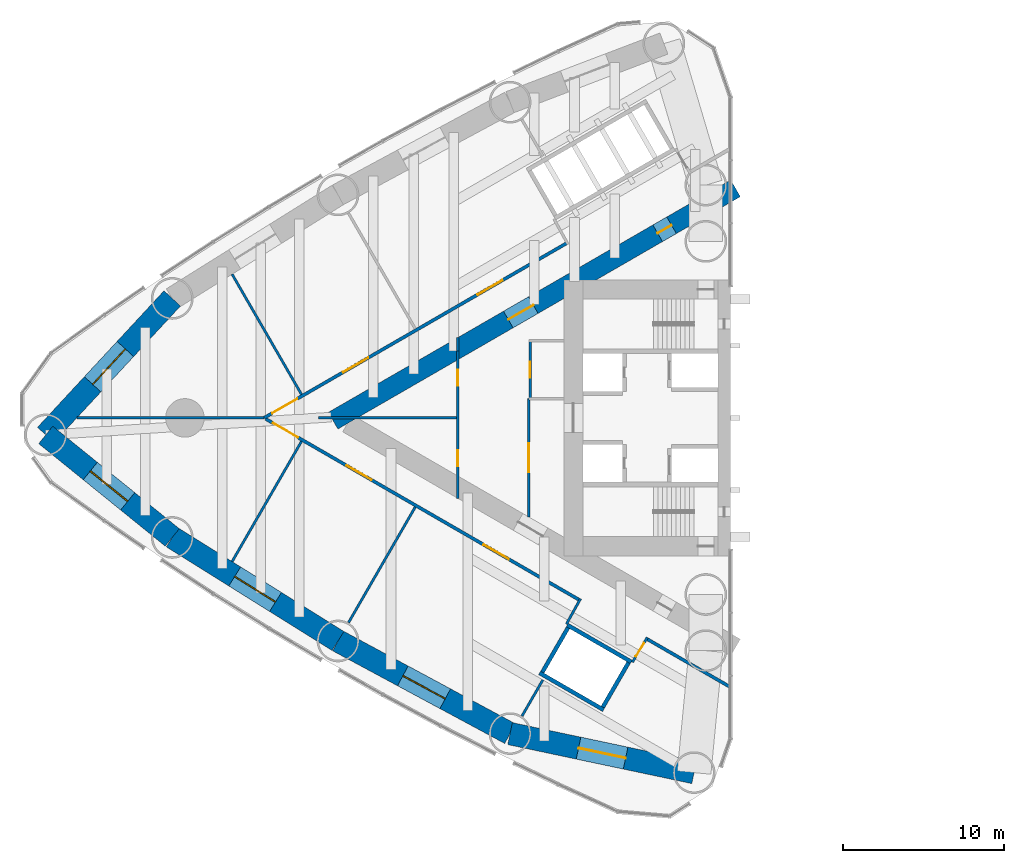
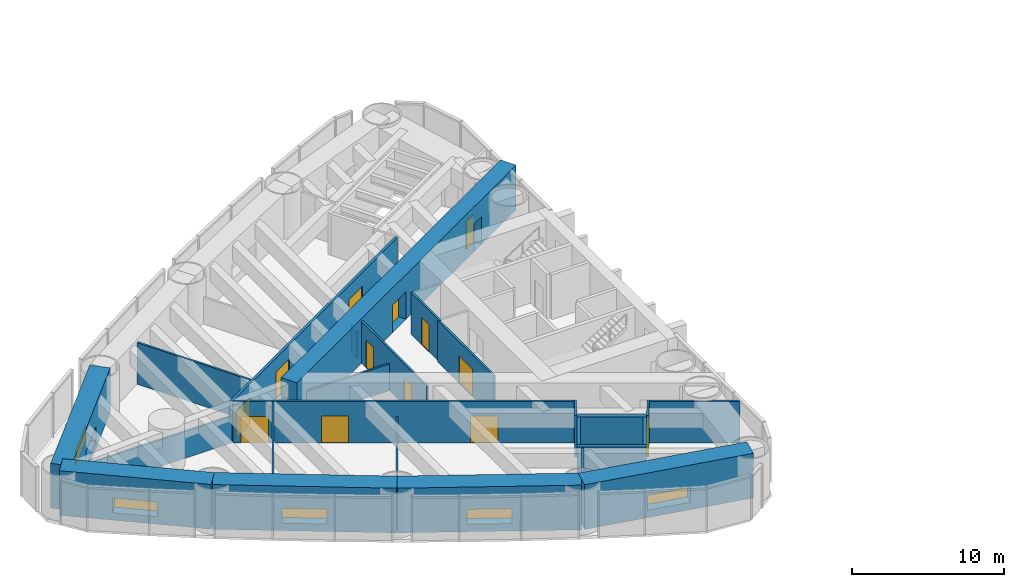
# One storey, part 11 of 16: 25 walls, 13 doors, 5 windows, 18 openings.
"""IFC4 building model written with IfcOpenShell, lengths in metres."""

from ifc_helpers import new_model, si_unit, direction, frame, frame_2d, origin, place, context, subcontext, project, spatial, rectangle, extrude, material, layer, layer_set, type_object, element, fill, save


model = new_model("IFC4")

# Units and contexts
model_context = context("Model", 3, precision=1e-05, world=origin(), true_north=direction((0.0, 1.0)))
body_context = subcontext(model_context, "Body", "Model", "MODEL_VIEW")
ifc_project = project(units=[si_unit("LENGTHUNIT", "METRE"), si_unit("AREAUNIT", "SQUARE_METRE"), si_unit("VOLUMEUNIT", "CUBIC_METRE"), si_unit("PLANEANGLEUNIT", "RADIAN"), si_unit("MASSUNIT", "GRAM", prefix="KILO")], contexts=[model_context])

# Site, building, storey
site_placement = place(None, origin())
site = spatial("IfcSite", under=ifc_project, at=site_placement, CompositionType="ELEMENT")
building_placement = place(site_placement, origin())
building = spatial("IfcBuilding", under=site, at=building_placement, Name="Lancet Gate Hotel", CompositionType="ELEMENT")
storey_placement = place(building_placement, frame((0.0, 0.0, 143.10009765625)))
storey = spatial("IfcBuildingStorey", under=building, at=storey_placement, Name="L38", CompositionType="ELEMENT", Elevation=143.10009765625)

# Wall, opening, window
ifc_material_1 = material(Name="Concrete C80/95", Category="concrete")
ifc_layer_1 = layer(ifc_material_1, 1.39990234375)
ifc_layer_set_1 = layer_set([ifc_layer_1], Name="Belt wall 1400")
wall_type_1 = type_object("IfcWallType", Name="Belt wall 1400", PredefinedType="SHEAR", material=ifc_layer_set_1)
wall_1_placement = place(storey_placement, frame((-62.28662109375, 7.444580078125, 0.0), z_axis=(0.0, 0.0, 1.0), x_axis=(-0.679718253794, -0.733473309303, 0.0)))
wall_1 = element("IfcWall", 1, at=wall_1_placement, inside=storey, type_object=wall_type_1, Name="T1 belt wall OS3-CA L38", PredefinedType="SHEAR", context=body_context, shape_type="SweptSolid", body=[
    extrude(rectangle(XDim=11.594970703125, YDim=1.39990234375, at=frame_2d((5.79736328125, 0.0))), origin(), (0.0, 0.0, 1.0), 3.599853515625),
])
opening_1_placement = place(wall_1_placement, frame((4.297607421875, 0.0, 0.60009765625)))
opening_1 = element("IfcOpeningElement", 2, at=opening_1_placement, cuts=wall_1, Name="Opening LV1", PredefinedType="OPENING", context=body_context, shape_type="SweptSolid", body=[
    extrude(rectangle(XDim=3.0, YDim=1.199951171875, at=frame_2d((1.5, 0.60009765625))), frame((0.0, 0.7099609375, 0.0), z_axis=(0.0, -1.0, 0.0), x_axis=(1.0, 0.0, 0.0)), (0.0, 0.0, 1.0), 1.419921875),
])
ifc_material_2 = material(Name="Aluminium weather louvre", Category="aluminium")
window_type = type_object("IfcWindowType", Name="Refuge louvre 3000x1200", PartitioningType="SINGLE_PANEL", PredefinedType="WINDOW", material=ifc_material_2)
window_1_placement = place(opening_1_placement, origin())
window_1 = element("IfcWindow", 3, at=window_1_placement, inside=storey, type_object=window_type, Name="T1 belt louvre OS3-CA L38", OverallHeight=1.199951171875, OverallWidth=3.0, PartitioningType="SINGLE_PANEL", PredefinedType="WINDOW", context=body_context, shape_type="SweptSolid", body=[
    extrude(rectangle(XDim=3.0, YDim=1.199951171875, at=frame_2d((1.5, 0.60009765625))), frame((0.0, 0.030029296875, 0.0), z_axis=(0.0, -1.0, 0.0), x_axis=(1.0, 0.0, 0.0)), (0.0, 0.0, 1.0), 0.06005859375),
])
fill(opening_1, window_1)

wall_2_placement = place(storey_placement, frame((-70.16796875, -1.06005859375, 0.0), z_axis=(0.0, 0.0, 1.0), x_axis=(0.777033503891, -0.629459239213, 0.0)))
wall_2 = element("IfcWall", 4, at=wall_2_placement, inside=storey, type_object=wall_type_1, Name="T1 belt wall CA-ON1 L38", PredefinedType="SHEAR", context=body_context, shape_type="SweptSolid", body=[
    extrude(rectangle(XDim=10.142822265625, YDim=1.39990234375, at=frame_2d((5.0712890625, 0.0))), origin(), (0.0, 0.0, 1.0), 3.599853515625),
])
opening_2_placement = place(wall_2_placement, frame((3.571533203125, 0.0, 0.60009765625)))
opening_2 = element("IfcOpeningElement", 5, at=opening_2_placement, cuts=wall_2, Name="Opening LV1", PredefinedType="OPENING", context=body_context, shape_type="SweptSolid", body=[
    extrude(rectangle(XDim=3.0, YDim=1.199951171875, at=frame_2d((1.5, 0.60009765625))), frame((0.0, 0.7099609375, 0.0), z_axis=(0.0, -1.0, 0.0), x_axis=(1.0, 0.0, 0.0)), (0.0, 0.0, 1.0), 1.419921875),
])
window_2_placement = place(opening_2_placement, origin())
window_2 = element("IfcWindow", 6, at=window_2_placement, inside=storey, type_object=window_type, Name="T1 belt louvre CA-ON1 L38", OverallHeight=1.199951171875, OverallWidth=3.0, PartitioningType="SINGLE_PANEL", PredefinedType="WINDOW", context=body_context, shape_type="SweptSolid", body=[
    extrude(rectangle(XDim=3.0, YDim=1.199951171875, at=frame_2d((1.5, 0.60009765625))), frame((0.0, 0.030029296875, 0.0), z_axis=(0.0, -1.0, 0.0), x_axis=(1.0, 0.0, 0.0)), (0.0, 0.0, 1.0), 0.06005859375),
])
fill(opening_2, window_2)

wall_3_placement = place(storey_placement, frame((-62.28662109375, -7.444580078125, 0.0), z_axis=(0.0, 0.0, 1.0), x_axis=(0.848062521637, -0.529896177939, 0.0)))
wall_3 = element("IfcWall", 7, at=wall_3_placement, inside=storey, type_object=wall_type_1, Name="T1 belt wall ON1-ON2 L38", PredefinedType="SHEAR", context=body_context, shape_type="SweptSolid", body=[
    extrude(rectangle(XDim=12.173095703125, YDim=1.39990234375, at=frame_2d((6.08642578125, 0.0))), origin(), (0.0, 0.0, 1.0), 3.599853515625),
])
opening_3_placement = place(wall_3_placement, frame((4.58642578125, 0.0, 0.60009765625)))
opening_3 = element("IfcOpeningElement", 8, at=opening_3_placement, cuts=wall_3, Name="Opening LV1", PredefinedType="OPENING", context=body_context, shape_type="SweptSolid", body=[
    extrude(rectangle(XDim=3.0, YDim=1.199951171875, at=frame_2d((1.5, 0.60009765625))), frame((0.0, 0.7099609375, 0.0), z_axis=(0.0, -1.0, 0.0), x_axis=(1.0, 0.0, 0.0)), (0.0, 0.0, 1.0), 1.419921875),
])
window_3_placement = place(opening_3_placement, origin())
window_3 = element("IfcWindow", 9, at=window_3_placement, inside=storey, type_object=window_type, Name="T1 belt louvre ON1-ON2 L38", OverallHeight=1.199951171875, OverallWidth=3.0, PartitioningType="SINGLE_PANEL", PredefinedType="WINDOW", context=body_context, shape_type="SweptSolid", body=[
    extrude(rectangle(XDim=3.0, YDim=1.199951171875, at=frame_2d((1.5, 0.60009765625))), frame((0.0, 0.030029296875, 0.0), z_axis=(0.0, -1.0, 0.0), x_axis=(1.0, 0.0, 0.0)), (0.0, 0.0, 1.0), 0.06005859375),
])
fill(opening_3, window_3)

wall_4_placement = place(storey_placement, frame((-51.963134765625, -13.89501953125, 0.0), z_axis=(0.0, 0.0, 1.0), x_axis=(0.880492350889, -0.474060354835, 0.0)))
wall_4 = element("IfcWall", 10, at=wall_4_placement, inside=storey, type_object=wall_type_1, Name="T1 belt wall ON2-ON3 L38", PredefinedType="SHEAR", context=body_context, shape_type="SweptSolid", body=[
    extrude(rectangle(XDim=12.173095703125, YDim=1.39990234375, at=frame_2d((6.08642578125, 0.0))), origin(), (0.0, 0.0, 1.0), 3.599853515625),
])
opening_4_placement = place(wall_4_placement, frame((4.58642578125, 0.0, 0.60009765625)))
opening_4 = element("IfcOpeningElement", 11, at=opening_4_placement, cuts=wall_4, Name="Opening LV1", PredefinedType="OPENING", context=body_context, shape_type="SweptSolid", body=[
    extrude(rectangle(XDim=3.0, YDim=1.199951171875, at=frame_2d((1.5, 0.60009765625))), frame((0.0, 0.7099609375, 0.0), z_axis=(0.0, -1.0, 0.0), x_axis=(1.0, 0.0, 0.0)), (0.0, 0.0, 1.0), 1.419921875),
])
window_4_placement = place(opening_4_placement, origin())
window_4 = element("IfcWindow", 12, at=window_4_placement, inside=storey, type_object=window_type, Name="T1 belt louvre ON2-ON3 L38", OverallHeight=1.199951171875, OverallWidth=3.0, PartitioningType="SINGLE_PANEL", PredefinedType="WINDOW", context=body_context, shape_type="SweptSolid", body=[
    extrude(rectangle(XDim=3.0, YDim=1.199951171875, at=frame_2d((1.5, 0.60009765625))), frame((0.0, 0.030029296875, 0.0), z_axis=(0.0, -1.0, 0.0), x_axis=(1.0, 0.0, 0.0)), (0.0, 0.0, 1.0), 0.06005859375),
])
fill(opening_4, window_4)

wall_5_placement = place(storey_placement, frame((-41.244873046875, -19.665771484375, 0.0), z_axis=(0.0, 0.0, 1.0), x_axis=(0.978282156247, -0.207277646573, 0.0)))
wall_5 = element("IfcWall", 13, at=wall_5_placement, inside=storey, type_object=wall_type_1, Name="T1 belt wall ON3-CN L38", PredefinedType="SHEAR", context=body_context, shape_type="SweptSolid", body=[
    extrude(rectangle(XDim=11.71826171875, YDim=1.39990234375, at=frame_2d((5.859130859375, 0.0))), origin(), (0.0, 0.0, 1.0), 3.599853515625),
])
opening_5_placement = place(wall_5_placement, frame((4.359130859375, 0.0, 0.60009765625)))
opening_5 = element("IfcOpeningElement", 14, at=opening_5_placement, cuts=wall_5, Name="Opening LV1", PredefinedType="OPENING", context=body_context, shape_type="SweptSolid", body=[
    extrude(rectangle(XDim=3.0, YDim=1.199951171875, at=frame_2d((1.5, 0.60009765625))), frame((0.0, 0.7099609375, 0.0), z_axis=(0.0, -1.0, 0.0), x_axis=(1.0, 0.0, 0.0)), (0.0, 0.0, 1.0), 1.419921875),
])
window_5_placement = place(opening_5_placement, origin())
window_5 = element("IfcWindow", 15, at=window_5_placement, inside=storey, type_object=window_type, Name="T1 belt louvre ON3-CN L38", OverallHeight=1.199951171875, OverallWidth=3.0, PartitioningType="SINGLE_PANEL", PredefinedType="WINDOW", context=body_context, shape_type="SweptSolid", body=[
    extrude(rectangle(XDim=3.0, YDim=1.199951171875, at=frame_2d((1.5, 0.60009765625))), frame((0.0, 0.030029296875, 0.0), z_axis=(0.0, -1.0, 0.0), x_axis=(1.0, 0.0, 0.0)), (0.0, 0.0, 1.0), 0.06005859375),
])
fill(opening_5, window_5)

# Wall, openings, doors
ifc_material_3 = material(Name="Concrete C70/85", Category="concrete")
ifc_layer_2 = layer(ifc_material_3, 1.199951171875)
ifc_layer_set_2 = layer_set([ifc_layer_2], Name="Buttress wall 1200")
wall_type_2 = type_object("IfcWallType", Name="Buttress wall 1200", PredefinedType="SHEAR", material=ifc_layer_set_2)
wall_6_placement = place(storey_placement, frame((-27.199951171875, 14.300048828125, 0.0), z_axis=(0.0, 0.0, 1.0), x_axis=(-0.866026593062, -0.499997940104, 0.0)))
wall_6 = element("IfcWall", 16, at=wall_6_placement, inside=storey, type_object=wall_type_2, Name="T1 buttress wall S L38", PredefinedType="SHEAR", context=body_context, shape_type="SweptSolid", body=[
    extrude(rectangle(XDim=28.9462890625, YDim=1.199951171875, at=frame_2d((14.47314453125, 0.0))), origin(), (0.0, 0.0, 1.0), 3.599853515625),
])
opening_6_placement = place(wall_6_placement, frame((4.60009765625, 0.0, 0.0)))
opening_6 = element("IfcOpeningElement", 17, at=opening_6_placement, cuts=wall_6, Name="Opening T1-L38-LS", PredefinedType="OPENING", context=body_context, shape_type="SweptSolid", body=[
    extrude(rectangle(XDim=1.0, YDim=2.199951171875, at=frame_2d((0.5, 1.10009765625))), frame((0.0, 0.60986328125, 0.0), z_axis=(0.0, -1.0, 0.0), x_axis=(1.0, 0.0, 0.0)), (0.0, 0.0, 1.0), 1.219970703125),
])
opening_7_placement = place(wall_6_placement, frame((14.544921875, 0.0, 0.0)))
opening_7 = element("IfcOpeningElement", 18, at=opening_7_placement, cuts=wall_6, Name="Opening T1-L38-LHS", PredefinedType="OPENING", context=body_context, shape_type="SweptSolid", body=[
    extrude(rectangle(XDim=1.800048828125, YDim=2.199951171875, at=frame_2d((0.89990234375, 1.10009765625))), frame((0.0, 0.60986328125, 0.0), z_axis=(0.0, -1.0, 0.0), x_axis=(1.0, 0.0, 0.0)), (0.0, 0.0, 1.0), 1.219970703125),
])
ifc_material_4 = material(Name="Timber door set", Category="wood")
door_type_1 = type_object("IfcDoorType", Name="Lobby double door 1800", OperationType="DOUBLE_DOOR_SINGLE_SWING", PredefinedType="DOOR", material=ifc_material_4)
door_1_placement = place(opening_7_placement, origin())
door_1 = element("IfcDoor", 19, at=door_1_placement, inside=storey, type_object=door_type_1, Name="T1-L38-LHS", OperationType="DOUBLE_DOOR_SINGLE_SWING", OverallHeight=2.199951171875, OverallWidth=1.800048828125, PredefinedType="DOOR", context=body_context, shape_type="SweptSolid", body=[
    extrude(rectangle(XDim=1.800048828125, YDim=2.199951171875, at=frame_2d((0.89990234375, 1.10009765625))), frame((0.0, 0.02490234375, 0.0), z_axis=(0.0, -1.0, 0.0), x_axis=(1.0, 0.0, 0.0)), (0.0, 0.0, 1.0), 0.050048828125),
])
fill(opening_7, door_1)
ifc_material_5 = material(Name="Timber door set", Category="wood")
door_type_2 = type_object("IfcDoorType", Name="Stair lobby door 1000", OperationType="SINGLE_SWING_LEFT", PredefinedType="DOOR", material=ifc_material_5)
door_2_placement = place(opening_6_placement, origin())
door_2 = element("IfcDoor", 20, at=door_2_placement, inside=storey, type_object=door_type_2, Name="T1-L38-LS", OperationType="SINGLE_SWING_LEFT", OverallHeight=2.199951171875, OverallWidth=1.0, PredefinedType="DOOR", context=body_context, shape_type="SweptSolid", body=[
    extrude(rectangle(XDim=1.0, YDim=2.199951171875, at=frame_2d((0.5, 1.10009765625))), frame((0.0, 0.02490234375, 0.0), z_axis=(0.0, -1.0, 0.0), x_axis=(1.0, 0.0, 0.0)), (0.0, 0.0, 1.0), 0.050048828125),
])
fill(opening_6, door_2)

ifc_material_6 = material(Name="Gypsum board partition")
ifc_layer_3 = layer(ifc_material_6, 0.199951171875)
ifc_layer_set_3 = layer_set([ifc_layer_3], Name="Corridor wall 200")
wall_type_3 = type_object("IfcWallType", Name="Corridor wall 200", PredefinedType="PARTITIONING", material=ifc_layer_set_3)
wall_7_placement = place(storey_placement, frame((-37.699951171875, 10.8935546875, 0.0), z_axis=(0.0, 0.0, 1.0), x_axis=(-0.866027905338, -0.499995667157, 0.0)))
wall_7 = element("IfcWall", 21, at=wall_7_placement, inside=storey, type_object=wall_type_3, Name="T1 corridor wall 200 L38", PredefinedType="PARTITIONING", context=body_context, shape_type="SweptSolid", body=[
    extrude(rectangle(XDim=21.787353515625, YDim=0.199951171875, at=frame_2d((10.8935546875, 0.0))), origin(), (0.0, 0.0, 1.0), 3.349853515625),
])
opening_8_placement = place(wall_7_placement, frame((14.2958984375, 0.0, 0.0)))
opening_8 = element("IfcOpeningElement", 22, at=opening_8_placement, cuts=wall_7, Name="Opening T1-L38-B03", PredefinedType="OPENING", context=body_context, shape_type="SweptSolid", body=[
    extrude(rectangle(XDim=1.800048828125, YDim=2.199951171875, at=frame_2d((0.89990234375, 1.10009765625))), frame((0.0, 0.10986328125, 0.0), z_axis=(0.0, -1.0, 0.0), x_axis=(1.0, 0.0, 0.0)), (0.0, 0.0, 1.0), 0.219970703125),
])
opening_9_placement = place(wall_7_placement, frame((19.39892578125, 0.0, 0.0)))
opening_9 = element("IfcOpeningElement", 23, at=opening_9_placement, cuts=wall_7, Name="Opening T1-L38-B04", PredefinedType="OPENING", context=body_context, shape_type="SweptSolid", body=[
    extrude(rectangle(XDim=1.800048828125, YDim=2.139892578125, at=frame_2d((0.89990234375, 1.06982421875))), frame((0.0, 0.10986328125, 0.0), z_axis=(0.0, -1.0, 0.0), x_axis=(1.0, 0.0, 0.0)), (0.0, 0.0, 1.0), 0.219970703125),
])
opening_10_placement = place(wall_7_placement, frame((4.64013671875, 0.0, 0.0)))
opening_10 = element("IfcOpeningElement", 24, at=opening_10_placement, cuts=wall_7, Name="Opening T1-L38-B02", PredefinedType="OPENING", context=body_context, shape_type="SweptSolid", body=[
    extrude(rectangle(XDim=1.800048828125, YDim=2.199951171875, at=frame_2d((0.89990234375, 1.10009765625))), frame((0.0, 0.10986328125, 0.0), z_axis=(0.0, -1.0, 0.0), x_axis=(1.0, 0.0, 0.0)), (0.0, 0.0, 1.0), 0.219970703125),
])
ifc_material_7 = material(Name="Timber door set", Category="wood")
door_type_3 = type_object("IfcDoorType", Name="Double door 1800", OperationType="DOUBLE_DOOR_SINGLE_SWING", PredefinedType="DOOR", material=ifc_material_7)
door_3_placement = place(opening_8_placement, origin())
door_3 = element("IfcDoor", 25, at=door_3_placement, inside=storey, type_object=door_type_3, Name="T1-L38-B03", OperationType="DOUBLE_DOOR_SINGLE_SWING", OverallHeight=2.199951171875, OverallWidth=1.800048828125, PredefinedType="DOOR", context=body_context, shape_type="SweptSolid", body=[
    extrude(rectangle(XDim=1.800048828125, YDim=2.199951171875, at=frame_2d((0.89990234375, 1.10009765625))), frame((0.0, 0.02490234375, 0.0), z_axis=(0.0, -1.0, 0.0), x_axis=(1.0, 0.0, 0.0)), (0.0, 0.0, 1.0), 0.050048828125),
])
fill(opening_8, door_3)
door_4_placement = place(opening_10_placement, origin())
door_4 = element("IfcDoor", 26, at=door_4_placement, inside=storey, type_object=door_type_3, Name="T1-L38-B02", OperationType="DOUBLE_DOOR_SINGLE_SWING", OverallHeight=2.199951171875, OverallWidth=1.800048828125, PredefinedType="DOOR", context=body_context, shape_type="SweptSolid", body=[
    extrude(rectangle(XDim=1.800048828125, YDim=2.199951171875, at=frame_2d((0.89990234375, 1.10009765625))), frame((0.0, 0.02490234375, 0.0), z_axis=(0.0, -1.0, 0.0), x_axis=(1.0, 0.0, 0.0)), (0.0, 0.0, 1.0), 0.050048828125),
])
fill(opening_10, door_4)
ifc_material_8 = material(Name="Timber door set", Category="wood")
door_type_4 = type_object("IfcDoorType", Name="Double door 1800, 2140 high", OperationType="DOUBLE_DOOR_SINGLE_SWING", PredefinedType="DOOR", material=ifc_material_8)
door_5_placement = place(opening_9_placement, origin())
door_5 = element("IfcDoor", 27, at=door_5_placement, inside=storey, type_object=door_type_4, Name="T1-L38-B04", OperationType="DOUBLE_DOOR_SINGLE_SWING", OverallHeight=2.139892578125, OverallWidth=1.800048828125, PredefinedType="DOOR", context=body_context, shape_type="SweptSolid", body=[
    extrude(rectangle(XDim=1.800048828125, YDim=2.139892578125, at=frame_2d((0.89990234375, 1.06982421875))), frame((0.0, 0.02490234375, 0.0), z_axis=(0.0, -1.0, 0.0), x_axis=(1.0, 0.0, 0.0)), (0.0, 0.0, 1.0), 0.050048828125),
])
fill(opening_9, door_5)

# Wall
wall_8_placement = place(storey_placement, frame((-27.5, -16.782470703125, 0.0), z_axis=(0.0, 0.0, 1.0), x_axis=(-0.866030050624, 0.499991951352, 0.0)))
element("IfcWall", 28, at=wall_8_placement, inside=storey, type_object=wall_type_3, Name="T1 corridor wall 200 L38", PredefinedType="PARTITIONING", context=body_context, shape_type="SweptSolid", body=[
    extrude(rectangle(XDim=6.0380859375, YDim=0.199951171875, at=frame_2d((3.01904296875, 0.0))), origin(), (0.0, 0.0, 1.0), 3.349853515625),
])

# Wall, openings, doors
wall_9_placement = place(storey_placement, frame((-36.920166015625, -11.34375, 0.0), z_axis=(0.0, 0.0, 1.0), x_axis=(-0.866028313256, 0.499994960614, 0.0)))
wall_9 = element("IfcWall", 29, at=wall_9_placement, inside=storey, type_object=wall_type_3, Name="T1 corridor wall 200 L38", PredefinedType="PARTITIONING", context=body_context, shape_type="SweptSolid", body=[
    extrude(rectangle(XDim=22.567626953125, YDim=0.199951171875, at=frame_2d((11.28369140625, 0.0))), origin(), (0.0, 0.0, 1.0), 3.349853515625),
])
opening_11_placement = place(wall_9_placement, frame((20.239501953125, 0.0, 0.0)))
opening_11 = element("IfcOpeningElement", 30, at=opening_11_placement, cuts=wall_9, Name="Opening T1-L38-B05", PredefinedType="OPENING", context=body_context, shape_type="SweptSolid", body=[
    extrude(rectangle(XDim=1.800048828125, YDim=2.139892578125, at=frame_2d((0.89990234375, 1.06982421875))), frame((0.0, 0.10986328125, 0.0), z_axis=(0.0, -1.0, 0.0), x_axis=(1.0, 0.0, 0.0)), (0.0, 0.0, 1.0), 0.219970703125),
])
opening_12_placement = place(wall_9_placement, frame((14.9462890625, 0.0, 0.0)))
opening_12 = element("IfcOpeningElement", 31, at=opening_12_placement, cuts=wall_9, Name="Opening T1-L38-B06", PredefinedType="OPENING", context=body_context, shape_type="SweptSolid", body=[
    extrude(rectangle(XDim=1.800048828125, YDim=2.199951171875, at=frame_2d((0.89990234375, 1.10009765625))), frame((0.0, 0.10986328125, 0.0), z_axis=(0.0, -1.0, 0.0), x_axis=(1.0, 0.0, 0.0)), (0.0, 0.0, 1.0), 0.219970703125),
])
opening_13_placement = place(wall_9_placement, frame((5.090576171875, 0.0, 0.0)))
opening_13 = element("IfcOpeningElement", 32, at=opening_13_placement, cuts=wall_9, Name="Opening T1-L38-B07", PredefinedType="OPENING", context=body_context, shape_type="SweptSolid", body=[
    extrude(rectangle(XDim=1.800048828125, YDim=2.199951171875, at=frame_2d((0.89990234375, 1.10009765625))), frame((0.0, 0.10986328125, 0.0), z_axis=(0.0, -1.0, 0.0), x_axis=(1.0, 0.0, 0.0)), (0.0, 0.0, 1.0), 0.219970703125),
])
door_6_placement = place(opening_12_placement, origin())
door_6 = element("IfcDoor", 33, at=door_6_placement, inside=storey, type_object=door_type_3, Name="T1-L38-B06", OperationType="DOUBLE_DOOR_SINGLE_SWING", OverallHeight=2.199951171875, OverallWidth=1.800048828125, PredefinedType="DOOR", context=body_context, shape_type="SweptSolid", body=[
    extrude(rectangle(XDim=1.800048828125, YDim=2.199951171875, at=frame_2d((0.89990234375, 1.10009765625))), frame((0.0, 0.02490234375, 0.0), z_axis=(0.0, -1.0, 0.0), x_axis=(1.0, 0.0, 0.0)), (0.0, 0.0, 1.0), 0.050048828125),
])
fill(opening_12, door_6)
door_7_placement = place(opening_13_placement, origin())
door_7 = element("IfcDoor", 34, at=door_7_placement, inside=storey, type_object=door_type_3, Name="T1-L38-B07", OperationType="DOUBLE_DOOR_SINGLE_SWING", OverallHeight=2.199951171875, OverallWidth=1.800048828125, PredefinedType="DOOR", context=body_context, shape_type="SweptSolid", body=[
    extrude(rectangle(XDim=1.800048828125, YDim=2.199951171875, at=frame_2d((0.89990234375, 1.10009765625))), frame((0.0, 0.02490234375, 0.0), z_axis=(0.0, -1.0, 0.0), x_axis=(1.0, 0.0, 0.0)), (0.0, 0.0, 1.0), 0.050048828125),
])
fill(opening_13, door_7)
door_8_placement = place(opening_11_placement, origin())
door_8 = element("IfcDoor", 35, at=door_8_placement, inside=storey, type_object=door_type_4, Name="T1-L38-B05", OperationType="DOUBLE_DOOR_SINGLE_SWING", OverallHeight=2.139892578125, OverallWidth=1.800048828125, PredefinedType="DOOR", context=body_context, shape_type="SweptSolid", body=[
    extrude(rectangle(XDim=1.800048828125, YDim=2.139892578125, at=frame_2d((0.89990234375, 1.06982421875))), frame((0.0, 0.02490234375, 0.0), z_axis=(0.0, -1.0, 0.0), x_axis=(1.0, 0.0, 0.0)), (0.0, 0.0, 1.0), 0.050048828125),
])
fill(opening_11, door_8)

# Walls
ifc_material_9 = material(Name="Gypsum board partition")
ifc_layer_4 = layer(ifc_material_9, 0.25)
ifc_layer_set_4 = layer_set([ifc_layer_4], Name="Lift shaft partition 250")
wall_type_4 = type_object("IfcWallType", Name="Lift shaft partition 250", PredefinedType="PARTITIONING", material=ifc_layer_set_4)
wall_10_placement = place(storey_placement, frame((-33.695556640625, -15.197265625, 0.0), z_axis=(0.0, 0.0, 1.0), x_axis=(-0.865976953817, 0.500083908417, 0.0)))
element("IfcWall", 36, at=wall_10_placement, inside=storey, type_object=wall_type_4, Name="T1 lift shaft wall EX L38", PredefinedType="PARTITIONING", context=body_context, shape_type="SweptSolid", body=[
    extrude(rectangle(XDim=4.599365234375, YDim=0.25, at=frame_2d((2.2998046875, 0.0))), origin(), (0.0, 0.0, 1.0), 3.349853515625),
])
wall_11_placement = place(storey_placement, frame((-35.42041015625, -18.185791015625, 0.0), z_axis=(0.0, 0.0, 1.0), x_axis=(-0.865990227814, 0.50006092162, 0.0)))
element("IfcWall", 37, at=wall_11_placement, inside=storey, type_object=wall_type_4, Name="T1 lift shaft wall EX L38", PredefinedType="PARTITIONING", context=body_context, shape_type="SweptSolid", body=[
    extrude(rectangle(XDim=4.599609375, YDim=0.25, at=frame_2d((2.2998046875, 0.0))), origin(), (0.0, 0.0, 1.0), 3.349853515625),
])
wall_12_placement = place(storey_placement, frame((-33.8662109375, -15.242919921875, 0.0), z_axis=(0.0, 0.0, 1.0), x_axis=(-0.499929347863, -0.866066190972, 0.0)))
element("IfcWall", 38, at=wall_12_placement, inside=storey, type_object=wall_type_4, Name="T1 lift shaft wall EX L38", PredefinedType="PARTITIONING", context=body_context, shape_type="SweptSolid", body=[
    extrude(rectangle(XDim=3.20068359375, YDim=0.25, at=frame_2d((1.600341796875, 0.0))), origin(), (0.0, 0.0, 1.0), 3.349853515625),
])
wall_13_placement = place(storey_placement, frame((-37.6328125, -13.068115234375, 0.0), z_axis=(0.0, 0.0, 1.0), x_axis=(-0.499872130319, -0.866099216793, 0.0)))
element("IfcWall", 39, at=wall_13_placement, inside=storey, type_object=wall_type_4, Name="T1 lift shaft wall EX L38", PredefinedType="PARTITIONING", context=body_context, shape_type="SweptSolid", body=[
    extrude(rectangle(XDim=3.200439453125, YDim=0.25, at=frame_2d((1.60009765625, 0.0))), origin(), (0.0, 0.0, 1.0), 3.349853515625),
])
ifc_material_10 = material(Name="Gypsum board partition")
ifc_layer_5 = layer(ifc_material_10, 0.14990234375)
ifc_layer_set_5 = layer_set([ifc_layer_5], Name="Party wall 150")
wall_type_5 = type_object("IfcWallType", Name="Party wall 150", PredefinedType="PARTITIONING", material=ifc_layer_set_5)
wall_14_placement = place(storey_placement, frame((-54.235595703125, 1.462158203125, 0.0), z_axis=(0.0, 0.0, 1.0), x_axis=(-0.499999505331, 0.866025689381, 0.0)))
element("IfcWall", 40, at=wall_14_placement, inside=storey, type_object=wall_type_5, Name="T1 party wall 150 L38", PredefinedType="PARTITIONING", context=body_context, shape_type="SweptSolid", body=[
    extrude(rectangle(XDim=8.64501953125, YDim=0.14990234375, at=frame_2d((4.322509765625, 0.0))), origin(), (0.0, 0.0, 1.0), 3.349853515625),
])
wall_15_placement = place(storey_placement, frame((-47.151123046875, -5.552490234375, 0.0), z_axis=(0.0, 0.0, 1.0), x_axis=(-0.500003012045, -0.866023664773, 0.0)))
element("IfcWall", 41, at=wall_15_placement, inside=storey, type_object=wall_type_5, Name="T1 party wall 150 L38", PredefinedType="PARTITIONING", context=body_context, shape_type="SweptSolid", body=[
    extrude(rectangle(XDim=8.31103515625, YDim=0.14990234375, at=frame_2d((4.155517578125, 0.0))), origin(), (0.0, 0.0, 1.0), 2.14990234375),
])
wall_16_placement = place(storey_placement, frame((-54.235595703125, -1.462158203125, 0.0), z_axis=(0.0, 0.0, 1.0), x_axis=(-0.499999505331, -0.866025689381, 0.0)))
element("IfcWall", 42, at=wall_16_placement, inside=storey, type_object=wall_type_5, Name="T1 party wall 150 L38", PredefinedType="PARTITIONING", context=body_context, shape_type="SweptSolid", body=[
    extrude(rectangle(XDim=8.64501953125, YDim=0.14990234375, at=frame_2d((4.322509765625, 0.0))), origin(), (0.0, 0.0, 1.0), 3.349853515625),
])
wall_17_placement = place(storey_placement, frame((-56.568359375, 0.0, 0.0), z_axis=(0.0, 0.0, 1.0), x_axis=(-1.0, 0.0, 0.0)))
element("IfcWall", 43, at=wall_17_placement, inside=storey, type_object=wall_type_5, Name="T1 party wall 150 L38", PredefinedType="PARTITIONING", context=body_context, shape_type="SweptSolid", body=[
    extrude(rectangle(XDim=11.662841796875, YDim=0.14990234375, at=frame_2d((5.83154296875, 0.0))), origin(), (0.0, 0.0, 1.0), 2.14990234375),
])
wall_18_placement = place(storey_placement, frame((-39.2021484375, -16.319580078125, 0.0), z_axis=(0.0, 0.0, 1.0), x_axis=(-0.49997716683, -0.86603858612, 0.0)))
element("IfcWall", 44, at=wall_18_placement, inside=storey, type_object=wall_type_5, Name="T1 party wall 150 L38", PredefinedType="PARTITIONING", context=body_context, shape_type="SweptSolid", body=[
    extrude(rectangle(XDim=2.599609375, YDim=0.14990234375, at=frame_2d((1.2998046875, 0.0))), origin(), (0.0, 0.0, 1.0), 3.349853515625),
])
ifc_material_11 = material(Name="Gypsum board partition")
ifc_layer_6 = layer(ifc_material_11, 0.14990234375)
ifc_layer_set_6 = layer_set([ifc_layer_6], Name="Service room wall 150")
wall_type_6 = type_object("IfcWallType", Name="Service room wall 150", PredefinedType="PARTITIONING", material=ifc_layer_set_6)
wall_19_placement = place(storey_placement, frame((-36.857177734375, -11.2646484375, 0.0), z_axis=(0.0, 0.0, 1.0), x_axis=(-0.485482130951, -0.874246590229, 0.0)))
element("IfcWall", 45, at=wall_19_placement, inside=storey, type_object=wall_type_6, Name="T1 service room wall 150 L38", PredefinedType="PARTITIONING", context=body_context, shape_type="SweptSolid", body=[
    extrude(rectangle(XDim=1.804931640625, YDim=0.14990234375, at=frame_2d((0.90234375, 0.0))), origin(), (0.0, 0.0, 1.0), 3.349853515625),
])

# Wall, opening, door
wall_20_placement = place(storey_placement, frame((-33.62060546875, -15.217529296875, 0.0), z_axis=(0.0, 0.0, 1.0), x_axis=(0.514336634837, 0.857588377991, 0.0)))
wall_20 = element("IfcWall", 46, at=wall_20_placement, inside=storey, type_object=wall_type_6, Name="T1 service room wall 150 L38", PredefinedType="PARTITIONING", context=body_context, shape_type="SweptSolid", body=[
    extrude(rectangle(XDim=1.80517578125, YDim=0.14990234375, at=frame_2d((0.902587890625, 0.0))), origin(), (0.0, 0.0, 1.0), 3.349853515625),
])
opening_14_placement = place(wall_20_placement, frame((0.402587890625, 0.0, 0.0)))
opening_14 = element("IfcOpeningElement", 47, at=opening_14_placement, cuts=wall_20, Name="Opening T1-L38-B08", PredefinedType="OPENING", context=body_context, shape_type="SweptSolid", body=[
    extrude(rectangle(XDim=1.0, YDim=2.139892578125, at=frame_2d((0.5, 1.06982421875))), frame((0.0, 0.0849609375, 0.0), z_axis=(0.0, -1.0, 0.0), x_axis=(1.0, 0.0, 0.0)), (0.0, 0.0, 1.0), 0.169921875),
])
ifc_material_12 = material(Name="Timber door set", Category="wood")
door_type_5 = type_object("IfcDoorType", Name="Service door 1000, 2140 high", OperationType="SINGLE_SWING_LEFT", PredefinedType="DOOR", material=ifc_material_12)
door_9_placement = place(opening_14_placement, origin())
door_9 = element("IfcDoor", 48, at=door_9_placement, inside=storey, type_object=door_type_5, Name="T1-L38-B08", OperationType="SINGLE_SWING_LEFT", OverallHeight=2.139892578125, OverallWidth=1.0, PredefinedType="DOOR", context=body_context, shape_type="SweptSolid", body=[
    extrude(rectangle(XDim=1.0, YDim=2.139892578125, at=frame_2d((0.5, 1.06982421875))), frame((0.0, 0.02490234375, 0.0), z_axis=(0.0, -1.0, 0.0), x_axis=(1.0, 0.0, 0.0)), (0.0, 0.0, 1.0), 0.050048828125),
])
fill(opening_14, door_9)

wall_21_placement = place(storey_placement, frame((-40.0, 4.875, 0.0), z_axis=(0.0, 0.0, 1.0), x_axis=(0.0, -1.0, 0.0)))
wall_21 = element("IfcWall", 49, at=wall_21_placement, inside=storey, type_object=wall_type_6, Name="T1 service room wall 150 L38", PredefinedType="PARTITIONING", context=body_context, shape_type="SweptSolid", body=[
    extrude(rectangle(XDim=3.75, YDim=0.14990234375, at=frame_2d((1.875, 0.0))), origin(), (0.0, 0.0, 1.0), 3.349853515625),
])
opening_15_placement = place(wall_21_placement, frame((1.375, 0.0, 0.0)))
opening_15 = element("IfcOpeningElement", 50, at=opening_15_placement, cuts=wall_21, Name="Opening T1-L38-HRS0", PredefinedType="OPENING", context=body_context, shape_type="SweptSolid", body=[
    extrude(rectangle(XDim=1.0, YDim=2.199951171875, at=frame_2d((0.5, 1.10009765625))), frame((0.0, 0.0849609375, 0.0), z_axis=(0.0, -1.0, 0.0), x_axis=(1.0, 0.0, 0.0)), (0.0, 0.0, 1.0), 0.169921875),
])
ifc_material_13 = material(Name="Timber door set", Category="wood")
door_type_6 = type_object("IfcDoorType", Name="Service door 1000", OperationType="SINGLE_SWING_LEFT", PredefinedType="DOOR", material=ifc_material_13)
door_10_placement = place(opening_15_placement, origin())
door_10 = element("IfcDoor", 51, at=door_10_placement, inside=storey, type_object=door_type_6, Name="T1-L38-HRS0", OperationType="SINGLE_SWING_LEFT", OverallHeight=2.199951171875, OverallWidth=1.0, PredefinedType="DOOR", context=body_context, shape_type="SweptSolid", body=[
    extrude(rectangle(XDim=1.0, YDim=2.199951171875, at=frame_2d((0.5, 1.10009765625))), frame((0.0, 0.02490234375, 0.0), z_axis=(0.0, -1.0, 0.0), x_axis=(1.0, 0.0, 0.0)), (0.0, 0.0, 1.0), 0.050048828125),
])
fill(opening_15, door_10)

wall_22_placement = place(storey_placement, frame((-40.074951171875, 1.199951171875, 0.0), z_axis=(0.0, 0.0, 1.0), x_axis=(0.0, -1.0, 0.0)))
wall_22 = element("IfcWall", 52, at=wall_22_placement, inside=storey, type_object=wall_type_6, Name="T1 service room wall 150 L38", PredefinedType="PARTITIONING", context=body_context, shape_type="SweptSolid", body=[
    extrude(rectangle(XDim=7.373779296875, YDim=0.14990234375, at=frame_2d((3.68701171875, 0.0))), origin(), (0.0, 0.0, 1.0), 3.349853515625),
])
opening_16_placement = place(wall_22_placement, frame((2.786865234375, 0.0, 0.0)))
opening_16 = element("IfcOpeningElement", 53, at=opening_16_placement, cuts=wall_22, Name="Opening T1-L38-LH", PredefinedType="OPENING", context=body_context, shape_type="SweptSolid", body=[
    extrude(rectangle(XDim=1.800048828125, YDim=2.199951171875, at=frame_2d((0.89990234375, 1.10009765625))), frame((0.0, 0.0849609375, 0.0), z_axis=(0.0, -1.0, 0.0), x_axis=(1.0, 0.0, 0.0)), (0.0, 0.0, 1.0), 0.169921875),
])
door_11_placement = place(opening_16_placement, origin())
door_11 = element("IfcDoor", 54, at=door_11_placement, inside=storey, type_object=door_type_1, Name="T1-L38-LH", OperationType="DOUBLE_DOOR_SINGLE_SWING", OverallHeight=2.199951171875, OverallWidth=1.800048828125, PredefinedType="DOOR", context=body_context, shape_type="SweptSolid", body=[
    extrude(rectangle(XDim=1.800048828125, YDim=2.199951171875, at=frame_2d((0.89990234375, 1.10009765625))), frame((0.0, 0.02490234375, 0.0), z_axis=(0.0, -1.0, 0.0), x_axis=(1.0, 0.0, 0.0)), (0.0, 0.0, 1.0), 0.050048828125),
])
fill(opening_16, door_11)

# Wall, openings, doors
wall_23_placement = place(storey_placement, frame((-44.5, 4.168701171875, 0.0), z_axis=(0.0, 0.0, 1.0), x_axis=(0.0, -1.0, 0.0)))
wall_23 = element("IfcWall", 55, at=wall_23_placement, inside=storey, type_object=wall_type_6, Name="T1 service room wall 150 L38", PredefinedType="PARTITIONING", context=body_context, shape_type="SweptSolid", body=[
    extrude(rectangle(XDim=9.17333984375, YDim=0.14990234375, at=frame_2d((4.586669921875, 0.0))), origin(), (0.0, 0.0, 1.0), 3.349853515625),
])
opening_17_placement = place(wall_23_placement, frame((1.16650390625, 0.0, 0.0)))
opening_17 = element("IfcOpeningElement", 56, at=opening_17_placement, cuts=wall_23, Name="Opening T1-L38-SV", PredefinedType="OPENING", context=body_context, shape_type="SweptSolid", body=[
    extrude(rectangle(XDim=1.0, YDim=2.199951171875, at=frame_2d((0.5, 1.10009765625))), frame((0.0, 0.0849609375, 0.0), z_axis=(0.0, -1.0, 0.0), x_axis=(1.0, 0.0, 0.0)), (0.0, 0.0, 1.0), 0.169921875),
])
opening_18_placement = place(wall_23_placement, frame((6.171142578125, 0.0, 0.0)))
opening_18 = element("IfcOpeningElement", 57, at=opening_18_placement, cuts=wall_23, Name="Opening T1-L38-SV2", PredefinedType="OPENING", context=body_context, shape_type="SweptSolid", body=[
    extrude(rectangle(XDim=1.0, YDim=2.199951171875, at=frame_2d((0.5, 1.10009765625))), frame((0.0, 0.0849609375, 0.0), z_axis=(0.0, -1.0, 0.0), x_axis=(1.0, 0.0, 0.0)), (0.0, 0.0, 1.0), 0.169921875),
])
door_12_placement = place(opening_17_placement, origin())
door_12 = element("IfcDoor", 58, at=door_12_placement, inside=storey, type_object=door_type_6, Name="T1-L38-SV", OperationType="SINGLE_SWING_LEFT", OverallHeight=2.199951171875, OverallWidth=1.0, PredefinedType="DOOR", context=body_context, shape_type="SweptSolid", body=[
    extrude(rectangle(XDim=1.0, YDim=2.199951171875, at=frame_2d((0.5, 1.10009765625))), frame((0.0, 0.02490234375, 0.0), z_axis=(0.0, -1.0, 0.0), x_axis=(1.0, 0.0, 0.0)), (0.0, 0.0, 1.0), 0.050048828125),
])
fill(opening_17, door_12)
door_13_placement = place(opening_18_placement, origin())
door_13 = element("IfcDoor", 59, at=door_13_placement, inside=storey, type_object=door_type_6, Name="T1-L38-SV2", OperationType="SINGLE_SWING_LEFT", OverallHeight=2.199951171875, OverallWidth=1.0, PredefinedType="DOOR", context=body_context, shape_type="SweptSolid", body=[
    extrude(rectangle(XDim=1.0, YDim=2.199951171875, at=frame_2d((0.5, 1.10009765625))), frame((0.0, 0.02490234375, 0.0), z_axis=(0.0, -1.0, 0.0), x_axis=(1.0, 0.0, 0.0)), (0.0, 0.0, 1.0), 0.050048828125),
])
fill(opening_18, door_13)

# Walls
wall_24_placement = place(storey_placement, frame((-44.574951171875, 0.0, 0.0), z_axis=(0.0, 0.0, 1.0), x_axis=(-1.0, 0.0, 0.0)))
element("IfcWall", 60, at=wall_24_placement, inside=storey, type_object=wall_type_6, Name="T1 service room wall 150 L38", PredefinedType="PARTITIONING", context=body_context, shape_type="SweptSolid", body=[
    extrude(rectangle(XDim=8.59326171875, YDim=0.14990234375, at=frame_2d((4.296630859375, 0.0))), origin(), (0.0, 0.0, 1.0), 2.14990234375),
])
wall_25_placement = place(storey_placement, frame((-44.5, 5.004638671875, 0.0), z_axis=(0.0, 0.0, 1.0), x_axis=(0.0, -1.0, 0.0)))
element("IfcWall", 61, at=wall_25_placement, inside=storey, type_object=wall_type_6, Name="T1 service room wall 150 L38", PredefinedType="PARTITIONING", context=body_context, shape_type="SweptSolid", body=[
    extrude(rectangle(XDim=0.8359375, YDim=0.14990234375, at=frame_2d((0.41796875, 0.0))), origin(), (0.0, 0.0, 1.0), 2.14990234375),
])

save(model, "model.ifc")
